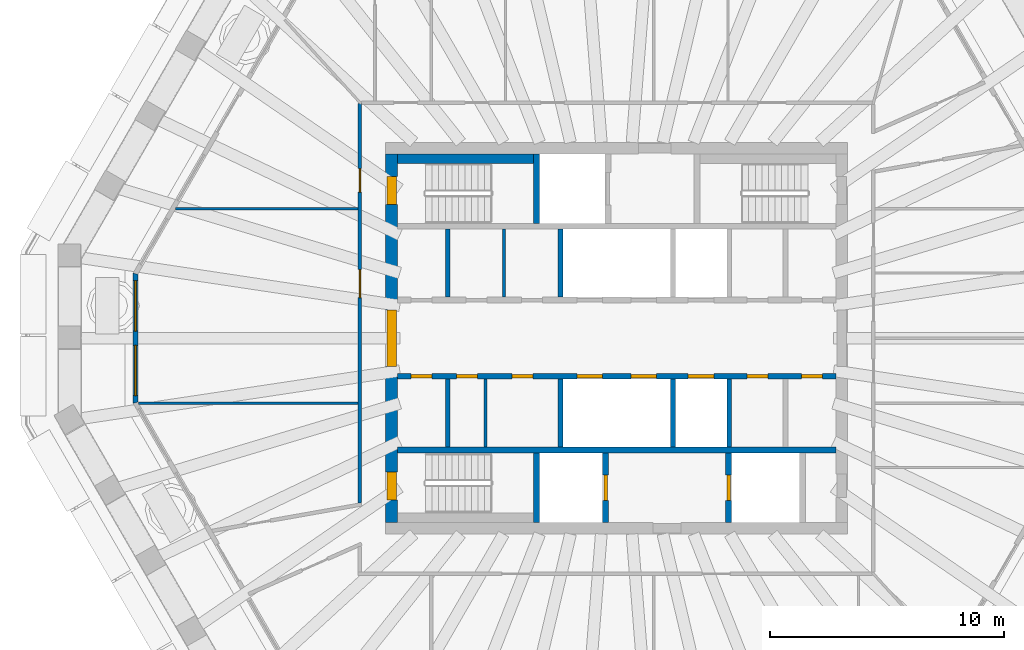
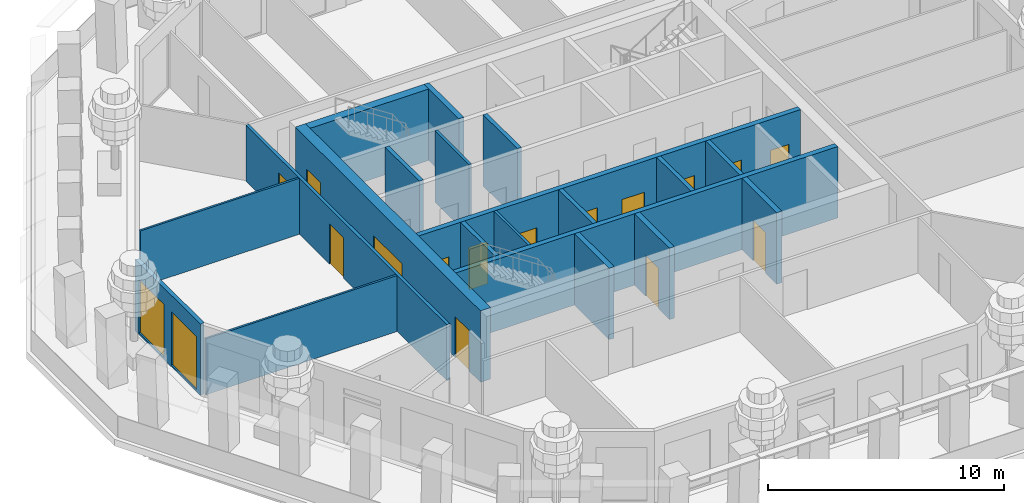
# One storey, part 4 of 13: 20 walls, 15 doors, 2 windows, 17 openings.
"""IFC4 building model written with IfcOpenShell, lengths in metres."""

import ifcopenshell
import ifcopenshell.guid

model = None  # the IFC model being written
_history = None  # IfcOwnerHistory: only IFC2X3 demands one
_inside = {}  # id of a spatial element -> (the spatial element, [elements in it])
_under = {}  # id of a project, library or spatial element -> (it, [spatial elements below it])
_declared = {}  # id of a project -> (the project, [libraries it declares])
_typed = {}  # id of a type object -> (the type object, [elements of that type])
_made_of = {}  # id of a material, layer set ... -> (it, [elements and type objects made of it])


def new_model(schema):
    """Start an empty IFC model of exactly this schema.

    Asked for "IFC4X3", IfcOpenShell would pick the latest addendum, in which some entities
    have other attributes; the version numbers below select the first issue.
    IFC2X3 requires an IfcOwnerHistory on every rooted entity: one is made here for all.
    """
    global model, _history
    if schema == "IFC4X3":
        model = ifcopenshell.file(schema_version=(4, 3, 0, 0))
    else:
        model = ifcopenshell.file(schema=schema)
    _inside.clear()
    _under.clear()
    _declared.clear()
    _typed.clear()
    _made_of.clear()
    _history = None
    if model.schema == "IFC2X3":
        org = make("IfcOrganization", Name="unknown")
        user = make(
            "IfcPersonAndOrganization",
            ThePerson=make("IfcPerson", FamilyName="unknown"),
            TheOrganization=org,
        )
        app = make(
            "IfcApplication",
            ApplicationDeveloper=org,
            Version="unknown",
            ApplicationFullName="unknown",
            ApplicationIdentifier="unknown",
        )
        _history = make(
            "IfcOwnerHistory",
            OwningUser=user,
            OwningApplication=app,
            ChangeAction="ADDED",
            CreationDate=0,
        )
    return model


def make(cls, **values):
    """One entity of the class cls with the attributes given. An attribute that is None is left unset."""
    return model.create_entity(
        cls, **{name: value for name, value in values.items() if value is not None}
    )


def rooted(cls, **values):
    """An entity with a GlobalId (a new one), such as an element, a storey or a relation."""
    return make(cls, GlobalId=ifcopenshell.guid.new(), OwnerHistory=_history, **values)


def si_unit(unit_type, name, prefix=None):
    """IfcSIUnit, for example si_unit("LENGTHUNIT", "METRE", prefix="MILLI")."""
    return make("IfcSIUnit", UnitType=unit_type, Prefix=prefix, Name=name)


def assignment(units):
    """IfcUnitAssignment: the units of a project."""
    return None if units is None else make("IfcUnitAssignment", Units=units)


def point(xyz):
    """IfcCartesianPoint."""
    return None if xyz is None else make("IfcCartesianPoint", Coordinates=xyz)


def direction(xyz):
    """IfcDirection."""
    return None if xyz is None else make("IfcDirection", DirectionRatios=xyz)


def frame(location, z_axis=None, x_axis=None):
    """IfcAxis2Placement3D, a coordinate frame: its origin and axes. An axis left out is left unset."""
    return make(
        "IfcAxis2Placement3D",
        Location=point(location),
        Axis=direction(z_axis),
        RefDirection=direction(x_axis),
    )


def frame_2d(location, x_axis=None):
    """IfcAxis2Placement2D, a coordinate frame in the plane: its origin and x axis."""
    return make(
        "IfcAxis2Placement2D", Location=point(location), RefDirection=direction(x_axis)
    )


def origin():
    """The frame at (0, 0, 0) with its axes left unset."""
    return frame((0.0, 0.0, 0.0))


def place(relative_to, where):
    """IfcLocalPlacement: puts the frame where relative to a parent placement (None: the world)."""
    return make(
        "IfcLocalPlacement", PlacementRelTo=relative_to, RelativePlacement=where
    )


def context(
    kind, dimensions, precision=None, world=None, true_north=None, identifier=None
):
    """IfcGeometricRepresentationContext, for example the 3D "Model" context."""
    return make(
        "IfcGeometricRepresentationContext",
        ContextIdentifier=identifier,
        ContextType=kind,
        CoordinateSpaceDimension=dimensions,
        Precision=precision,
        WorldCoordinateSystem=world,
        TrueNorth=true_north,
    )


def subcontext(parent, identifier, kind, view, scale=None):
    """IfcGeometricRepresentationSubContext, for example "Body" below "Model"."""
    return make(
        "IfcGeometricRepresentationSubContext",
        ContextIdentifier=identifier,
        ContextType=kind,
        ParentContext=parent,
        TargetScale=scale,
        TargetView=view,
    )


def project(units=None, contexts=None):
    """IfcProject with its units and contexts."""
    return rooted(
        "IfcProject",
        Name="project",
        RepresentationContexts=contexts,
        UnitsInContext=assignment(units),
    )


def spatial(cls, under=None, at=None, **own):
    """A site, building, storey or space (cls), placed at a placement, below another one or the project."""
    s = rooted(cls, ObjectPlacement=at, **own)
    if under is not None:
        _under.setdefault(under.id(), (under, []))[1].append(s)
    return s


def polyline(points):
    """IfcPolyline through the points."""
    return make("IfcPolyline", Points=[point(p) for p in points])


def profile(cls, at=None, kind="AREA", **sizes):
    """A parametric profile (cls). Its sizes go by their IFC names, for example OverallWidth=200.0."""
    return make(cls, ProfileType=kind, Position=at, **sizes)


def rectangle(**sizes):
    """IfcRectangleProfileDef."""
    return profile("IfcRectangleProfileDef", **sizes)


def outline(outer, holes=None, kind="AREA"):
    """IfcArbitraryClosedProfileDef: a profile drawn as a closed curve; with holes, ...WithVoids."""
    if holes is None:
        return make("IfcArbitraryClosedProfileDef", ProfileType=kind, OuterCurve=outer)
    return make(
        "IfcArbitraryProfileDefWithVoids",
        ProfileType=kind,
        OuterCurve=outer,
        InnerCurves=holes,
    )


def extrude(swept, where, along, depth):
    """IfcExtrudedAreaSolid: the profile swept, set in the frame where, extruded along a direction by depth."""
    return make(
        "IfcExtrudedAreaSolid",
        SweptArea=swept,
        Position=where,
        ExtrudedDirection=direction(along),
        Depth=depth,
    )


def shape(context_of_items, identifier, shape_type, items):
    """IfcShapeRepresentation: the items that make up one representation, for example the "Body"."""
    return make(
        "IfcShapeRepresentation",
        ContextOfItems=context_of_items,
        RepresentationIdentifier=identifier,
        RepresentationType=shape_type,
        Items=items,
    )


def material(Name=None, Category=None):
    """IfcMaterial."""
    return make("IfcMaterial", Name=Name, Category=Category)


def layer(
    of_material, thickness, ventilated=None, Name=None, Category=None, Priority=None
):
    """IfcMaterialLayer: one layer of a wall or slab, of a material (None: an air gap)."""
    return make(
        "IfcMaterialLayer",
        Material=of_material,
        LayerThickness=thickness,
        IsVentilated=ventilated,
        Name=Name,
        Category=Category,
        Priority=Priority,
    )


def layer_set(layers, Name=None):
    """IfcMaterialLayerSet."""
    return make("IfcMaterialLayerSet", MaterialLayers=layers, LayerSetName=Name)


def made_of(thing, what):
    """Note that an element or type object is made of a material, layer set ...; save() writes the relation."""
    if what is not None:
        _made_of.setdefault(what.id(), (what, []))[1].append(thing)
    return thing


def type_object(cls, material=None, **own):
    """A type object (cls), such as IfcWallType, which elements share."""
    return made_of(rooted(cls, **own), material)


def element(
    cls,
    number,
    at=None,
    inside=None,
    cuts=None,
    type_object=None,
    material=None,
    context=None,
    identifier="Body",
    shape_type=None,
    held_by="IfcProductDefinitionShape",
    body=None,
    shapes=None,
    **own,
):
    """One element of the class cls, such as IfcWall. Its Tag is "e" and its number.

    at: its placement. inside: the storey or other place that contains it. cuts: it is an
    opening in that element (IfcRelVoidsElement). A single representation is given by context,
    identifier, shape_type and body (its items); several are given by shapes. held_by: the class
    of the entity that holds the representations. save() writes the other relations.
    """
    e = rooted(cls, Tag="e%d" % number, ObjectPlacement=at, **own)
    if body is not None:
        shapes = [shape(context, identifier, shape_type, body)]
    if shapes is not None:
        e.Representation = make(held_by, Representations=shapes)
    if inside is not None:
        _inside.setdefault(inside.id(), (inside, []))[1].append(e)
    if cuts is not None:
        rooted(
            "IfcRelVoidsElement", RelatingBuildingElement=cuts, RelatedOpeningElement=e
        )
    if type_object is not None:
        _typed.setdefault(type_object.id(), (type_object, []))[1].append(e)
    return made_of(e, material)


def fill(opening, filler):
    """IfcRelFillsElement: the door or window that sits in an opening."""
    return rooted(
        "IfcRelFillsElement",
        RelatingOpeningElement=opening,
        RelatedBuildingElement=filler,
    )


def aggregate(whole, parts):
    """IfcRelAggregates: a whole, such as a stair, and the parts it consists of."""
    return rooted("IfcRelAggregates", RelatingObject=whole, RelatedObjects=parts)


def save(model, path):
    """Write the relations noted so far, then the file.

    IfcRelAggregates (storeys below a building ...), IfcRelContainedInSpatialStructure (elements
    in a storey), IfcRelDefinesByType, IfcRelAssociatesMaterial and IfcRelDeclares: one each for
    every whole, place, type object, material and project.
    """
    for whole, parts in _under.values():
        aggregate(whole, parts)
    for where, things in _inside.values():
        rooted(
            "IfcRelContainedInSpatialStructure",
            RelatedElements=things,
            RelatingStructure=where,
        )
    for kind, things in _typed.values():
        rooted("IfcRelDefinesByType", RelatedObjects=things, RelatingType=kind)
    for what, things in _made_of.values():
        rooted("IfcRelAssociatesMaterial", RelatedObjects=things, RelatingMaterial=what)
    for by, libraries in _declared.values():
        rooted("IfcRelDeclares", RelatingContext=by, RelatedDefinitions=libraries)
    model.write(path)


model = new_model("IFC4")

# Units and contexts
model_context = context("Model", 3, precision=1e-05, world=origin(), true_north=direction((0.0, 1.0)))
body_context = subcontext(model_context, "Body", "Model", "MODEL_VIEW")
ifc_project = project(units=[si_unit("LENGTHUNIT", "METRE"), si_unit("AREAUNIT", "SQUARE_METRE"), si_unit("VOLUMEUNIT", "CUBIC_METRE"), si_unit("PLANEANGLEUNIT", "RADIAN"), si_unit("MASSUNIT", "GRAM", prefix="KILO")], contexts=[model_context])

# Site, building, storey
site_placement = place(None, origin())
site = spatial("IfcSite", under=ifc_project, at=site_placement, CompositionType="ELEMENT")
building_placement = place(site_placement, origin())
building = spatial("IfcBuilding", under=site, at=building_placement, Name="Frailejon Research Tower", CompositionType="ELEMENT")
storey_placement = place(building_placement, frame((0.0, 0.0, 263.0)))
storey = spatial("IfcBuildingStorey", under=building, at=storey_placement, Name="L57", CompositionType="ELEMENT", Elevation=263.0)

# Walls
ifc_material_1 = material(Name="Plasterboard on steel studs", Category="steel")
ifc_layer_1 = layer(ifc_material_1, 0.125)
ifc_layer_set_1 = layer_set([ifc_layer_1], Name="Core partition 125")
wall_type_1 = type_object("IfcWallType", Name="Core partition 125", PredefinedType="PARTITIONING", material=ifc_layer_set_1)
for number, where, z_axis, x_axis, name in (
    (1, (-4.800048828125, 1.75, 0.0), (0.0, 0.0, 1.0), (0.0, 1.0, 0.0), "Core partition"),
    (2, (-5.60009765625, -4.64990234375, 0.0), (0.0, 0.0, 1.0), (0.0, 1.0, 0.0), "Core partition"),
):
    element("IfcWall", number, at=place(storey_placement, frame(where, z_axis=z_axis, x_axis=x_axis)), inside=storey, type_object=wall_type_1, Name=name, PredefinedType="PARTITIONING", context=body_context, shape_type="SweptSolid", body=[
        extrude(rectangle(XDim=2.89990234375, YDim=0.125, at=frame_2d((1.449951171875, 0.0))), origin(), (0.0, 0.0, 1.0), 3.699951171875),
    ])

# Wall, openings, doors
ifc_material_2 = material(Name="Concrete C50/60", Category="concrete")
ifc_layer_2 = layer(ifc_material_2, 0.5)
ifc_layer_set_2 = layer_set([ifc_layer_2], Name="Core shear wall 500 C50/60")
wall_type_2 = type_object("IfcWallType", Name="Core shear wall 500 C50/60", PredefinedType="SHEAR", material=ifc_layer_set_2)
wall_1_placement = place(storey_placement, frame((-9.60009765625, -7.85009765625, 0.0), z_axis=(0.0, 0.0, 1.0), x_axis=(0.0, 1.0, 0.0)))
wall_1 = element("IfcWall", 3, at=wall_1_placement, inside=storey, type_object=wall_type_2, Name="Core shear wall", PredefinedType="SHEAR", context=body_context, shape_type="SweptSolid", body=[
    extrude(rectangle(XDim=15.7001953125, YDim=0.5, at=frame_2d((7.85009765625, 0.0))), origin(), (0.0, 0.0, 1.0), 3.699951171875),
])
opening_1_placement = place(wall_1_placement, frame((6.64990234375, 0.0, 0.0)))
opening_1 = element("IfcOpeningElement", 4, at=opening_1_placement, cuts=wall_1, Name="Opening D2", PredefinedType="OPENING", context=body_context, shape_type="SweptSolid", body=[
    extrude(rectangle(XDim=2.39990234375, YDim=2.10009765625, at=frame_2d((1.199951171875, 1.050048828125))), frame((0.0, 0.260009765625, 0.0), z_axis=(0.0, -1.0, 0.0), x_axis=(1.0, 0.0, 0.0)), (0.0, 0.0, 1.0), 0.52001953125),
])
opening_2_placement = place(wall_1_placement, frame((13.550048828125, 0.0, 0.0)))
opening_2 = element("IfcOpeningElement", 5, at=opening_2_placement, cuts=wall_1, Name="Opening D1", PredefinedType="OPENING", context=body_context, shape_type="SweptSolid", body=[
    extrude(rectangle(XDim=1.199951171875, YDim=2.10009765625, at=frame_2d((0.60009765625, 1.050048828125))), frame((0.0, 0.260009765625, 0.0), z_axis=(0.0, -1.0, 0.0), x_axis=(1.0, 0.0, 0.0)), (0.0, 0.0, 1.0), 0.52001953125),
])
opening_3_placement = place(wall_1_placement, frame((0.949951171875, 0.0, 0.0)))
opening_3 = element("IfcOpeningElement", 6, at=opening_3_placement, cuts=wall_1, Name="Opening D1", PredefinedType="OPENING", context=body_context, shape_type="SweptSolid", body=[
    extrude(rectangle(XDim=1.199951171875, YDim=2.10009765625, at=frame_2d((0.60009765625, 1.050048828125))), frame((0.0, 0.260009765625, 0.0), z_axis=(0.0, -1.0, 0.0), x_axis=(1.0, 0.0, 0.0)), (0.0, 0.0, 1.0), 0.52001953125),
])
ifc_material_3 = material(Name="Steel", Category="steel")
door_type_1 = type_object("IfcDoorType", Name="Lobby double door", OperationType="DOUBLE_DOOR_SINGLE_SWING", PredefinedType="DOOR", material=ifc_material_3)
door_1_placement = place(opening_1_placement, origin())
door_1 = element("IfcDoor", 7, at=door_1_placement, inside=storey, type_object=door_type_1, Name="Lobby door", OperationType="DOUBLE_DOOR_SINGLE_SWING", OverallHeight=2.10009765625, OverallWidth=2.39990234375, PredefinedType="DOOR", context=body_context, shape_type="SweptSolid", body=[
    extrude(rectangle(XDim=2.39990234375, YDim=2.10009765625, at=frame_2d((1.199951171875, 1.050048828125))), frame((0.0, 0.199951171875, 0.0), z_axis=(0.0, -1.0, 0.0), x_axis=(1.0, 0.0, 0.0)), (0.0, 0.0, 1.0), 0.39990234375),
])
fill(opening_1, door_1)
ifc_material_4 = material(Name="Steel", Category="steel")
door_type_2 = type_object("IfcDoorType", Name="Stair door", OperationType="SINGLE_SWING_LEFT", PredefinedType="DOOR", material=ifc_material_4)
door_2_placement = place(opening_2_placement, origin())
door_2 = element("IfcDoor", 8, at=door_2_placement, inside=storey, type_object=door_type_2, Name="Stair door ST1", OperationType="SINGLE_SWING_RIGHT", OverallHeight=2.10009765625, OverallWidth=1.199951171875, PredefinedType="DOOR", context=body_context, shape_type="SweptSolid", body=[
    extrude(rectangle(XDim=1.199951171875, YDim=2.10009765625, at=frame_2d((0.60009765625, 1.050048828125))), frame((0.0, 0.199951171875, 0.0), z_axis=(0.0, -1.0, 0.0), x_axis=(1.0, 0.0, 0.0)), (0.0, 0.0, 1.0), 0.39990234375),
])
fill(opening_2, door_2)
door_3_placement = place(opening_3_placement, origin())
door_3 = element("IfcDoor", 9, at=door_3_placement, inside=storey, type_object=door_type_2, Name="Stair door ST2", OperationType="SINGLE_SWING_LEFT", OverallHeight=2.10009765625, OverallWidth=1.199951171875, PredefinedType="DOOR", context=body_context, shape_type="SweptSolid", body=[
    extrude(rectangle(XDim=1.199951171875, YDim=2.10009765625, at=frame_2d((0.60009765625, 1.050048828125))), frame((0.0, 0.199951171875, 0.0), z_axis=(0.0, -1.0, 0.0), x_axis=(1.0, 0.0, 0.0)), (0.0, 0.0, 1.0), 0.39990234375),
])
fill(opening_3, door_3)

ifc_material_5 = material(Name="Gypsum board and masonry partition", Category="masonry")
ifc_layer_3 = layer(ifc_material_5, 0.14990234375)
ifc_layer_set_3 = layer_set([ifc_layer_3], Name="Corridor wall EI 60, gypsum on steel studs 150")
wall_type_3 = type_object("IfcWallType", Name="Corridor wall EI 60, gypsum on steel studs 150", PredefinedType="PARTITIONING", material=ifc_layer_set_3)
wall_2_placement = place(storey_placement, frame((-10.949951171875, -7.02490234375, 0.0), z_axis=(0.0, 0.0, 1.0), x_axis=(0.0, 1.0, 0.0)))
wall_2 = element("IfcWall", 10, at=wall_2_placement, inside=storey, type_object=wall_type_3, Name="T:IW:L57:007", PredefinedType="PARTITIONING", context=body_context, shape_type="SweptSolid", body=[
    extrude(rectangle(XDim=17.02490234375, YDim=0.14990234375, at=frame_2d((8.512451171875, 0.0))), origin(), (0.0, 0.0, 1.0), 2.89990234375),
])
opening_4_placement = place(wall_2_placement, frame((13.255615234375, 0.0, 0.0)))
opening_4 = element("IfcOpeningElement", 11, at=opening_4_placement, cuts=wall_2, Name="Opening D2101", PredefinedType="OPENING", context=body_context, shape_type="SweptSolid", body=[
    extrude(rectangle(XDim=1.0, YDim=2.10009765625, at=frame_2d((0.5, 1.050048828125))), frame((0.0, 0.0849609375, 0.0), z_axis=(0.0, -1.0, 0.0), x_axis=(1.0, 0.0, 0.0)), (0.0, 0.0, 1.0), 0.169921875),
])
opening_5_placement = place(wall_2_placement, frame((8.753662109375, 0.0, 0.0)))
opening_5 = element("IfcOpeningElement", 12, at=opening_5_placement, cuts=wall_2, Name="Opening D2102", PredefinedType="OPENING", context=body_context, shape_type="SweptSolid", body=[
    extrude(rectangle(XDim=1.199951171875, YDim=2.10009765625, at=frame_2d((0.60009765625, 1.050048828125))), frame((0.0, 0.0849609375, 0.0), z_axis=(0.0, -1.0, 0.0), x_axis=(1.0, 0.0, 0.0)), (0.0, 0.0, 1.0), 0.169921875),
])
ifc_material_6 = material(Name="Timber door leaf", Category="wood")
door_type_3 = type_object("IfcDoorType", Name="Door single leaf, timber, steel frame 1000", OperationType="NOTDEFINED", PredefinedType="DOOR", material=ifc_material_6)
door_4_placement = place(opening_4_placement, origin())
door_4 = element("IfcDoor", 13, at=door_4_placement, inside=storey, type_object=door_type_3, Name="D2101", OperationType="SINGLE_SWING_LEFT", OverallHeight=2.10009765625, OverallWidth=1.0, PredefinedType="DOOR", context=body_context, shape_type="SweptSolid", body=[
    extrude(rectangle(XDim=1.0, YDim=2.10009765625, at=frame_2d((0.5, 1.050048828125))), frame((0.0, 0.02490234375, 0.0), z_axis=(0.0, -1.0, 0.0), x_axis=(1.0, 0.0, 0.0)), (0.0, 0.0, 1.0), 0.050048828125),
])
fill(opening_4, door_4)
ifc_material_7 = material(Name="Timber door leaf", Category="wood")
door_type_4 = type_object("IfcDoorType", Name="Door single leaf, timber, steel frame 1200", OperationType="NOTDEFINED", PredefinedType="DOOR", material=ifc_material_7)
door_5_placement = place(opening_5_placement, origin())
door_5 = element("IfcDoor", 14, at=door_5_placement, inside=storey, type_object=door_type_4, Name="D2102", OperationType="DOUBLE_DOOR_SINGLE_SWING", OverallHeight=2.10009765625, OverallWidth=1.199951171875, PredefinedType="DOOR", context=body_context, shape_type="SweptSolid", body=[
    extrude(rectangle(XDim=1.199951171875, YDim=2.10009765625, at=frame_2d((0.60009765625, 1.050048828125))), frame((0.0, 0.02490234375, 0.0), z_axis=(0.0, -1.0, 0.0), x_axis=(1.0, 0.0, 0.0)), (0.0, 0.0, 1.0), 0.050048828125),
])
fill(opening_5, door_5)

# Walls
ifc_material_8 = material(Name="Gypsum board and masonry partition", Category="masonry")
ifc_layer_4 = layer(ifc_material_8, 0.10009765625)
ifc_layer_set_4 = layer_set([ifc_layer_4], Name="Partition, gypsum on steel studs 100")
wall_type_4 = type_object("IfcWallType", Name="Partition, gypsum on steel studs 100", PredefinedType="PARTITIONING", material=ifc_layer_set_4)
wall_3_placement = place(storey_placement, frame((-18.811767578125, 5.51708984375, 0.0), z_axis=(0.0, 0.0, 1.0), x_axis=(1.0, 0.0, 0.0)))
element("IfcWall", 15, at=wall_3_placement, inside=storey, type_object=wall_type_4, Name="T:IW:L57:014", PredefinedType="PARTITIONING", context=body_context, shape_type="SweptSolid", body=[
    extrude(rectangle(XDim=7.786865234375, YDim=0.10009765625, at=frame_2d((3.8935546875, 0.0))), origin(), (0.0, 0.0, 1.0), 2.89990234375),
])
wall_4_placement = place(storey_placement, frame((-20.392822265625, -2.778564453125, 0.0), z_axis=(0.0, 0.0, 1.0), x_axis=(1.0, 0.0, 0.0)))
element("IfcWall", 16, at=wall_4_placement, inside=storey, type_object=wall_type_4, Name="T:IW:L57:024", PredefinedType="PARTITIONING", context=body_context, shape_type="SweptSolid", body=[
    extrude(rectangle(XDim=9.367919921875, YDim=0.10009765625, at=frame_2d((4.68408203125, 0.0))), origin(), (0.0, 0.0, 1.0), 2.89990234375),
])
ifc_material_9 = material(Name="Concrete C50/60", Category="concrete")
ifc_layer_5 = layer(ifc_material_9, 0.199951171875)
ifc_layer_set_5 = layer_set([ifc_layer_5], Name="Shaft wall 200 C50/60")
wall_type_5 = type_object("IfcWallType", Name="Shaft wall 200 C50/60", PredefinedType="SOLIDWALL", material=ifc_layer_set_5)
for number, where, z_axis, x_axis, name in (
    (17, (-7.199951171875, 1.75, 0.0), (0.0, 0.0, 1.0), (0.0, 1.0, 0.0), "Shaft wall"),
    (18, (-2.39990234375, 1.75, 0.0), (0.0, 0.0, 1.0), (0.0, 1.0, 0.0), "Shaft wall"),
    (19, (-7.199951171875, -4.64990234375, 0.0), (0.0, 0.0, 1.0), (0.0, 1.0, 0.0), "Shaft wall"),
    (20, (-2.39990234375, -4.64990234375, 0.0), (0.0, 0.0, 1.0), (0.0, 1.0, 0.0), "Shaft wall"),
    (21, (2.39990234375, -4.64990234375, 0.0), (0.0, 0.0, 1.0), (0.0, 1.0, 0.0), "Shaft wall"),
    (22, (4.800048828125, -4.64990234375, 0.0), (0.0, 0.0, 1.0), (0.0, 1.0, 0.0), "Shaft wall"),
):
    element("IfcWall", number, at=place(storey_placement, frame(where, z_axis=z_axis, x_axis=x_axis)), inside=storey, type_object=wall_type_5, Name=name, PredefinedType="SOLIDWALL", context=body_context, shape_type="SweptSolid", body=[
        extrude(rectangle(XDim=2.89990234375, YDim=0.199951171875, at=frame_2d((1.449951171875, 0.0))), origin(), (0.0, 0.0, 1.0), 3.699951171875),
    ])

# Wall, openings, doors
ifc_material_10 = material(Name="Concrete C50/60", Category="concrete")
ifc_layer_6 = layer(ifc_material_10, 0.25)
ifc_layer_set_6 = layer_set([ifc_layer_6], Name="Shaft wall 250 C50/60")
wall_type_6 = type_object("IfcWallType", Name="Shaft wall 250 C50/60", PredefinedType="SOLIDWALL", material=ifc_layer_set_6)
wall_5_placement = place(storey_placement, frame((-9.35009765625, -1.625, 0.0), z_axis=(0.0, 0.0, 1.0), x_axis=(1.0, 0.0, 0.0)))
wall_5 = element("IfcWall", 23, at=wall_5_placement, inside=storey, type_object=wall_type_6, Name="Shaft wall", PredefinedType="SOLIDWALL", context=body_context, shape_type="SweptSolid", body=[
    extrude(rectangle(XDim=18.7001953125, YDim=0.25, at=frame_2d((9.35009765625, 0.0))), origin(), (0.0, 0.0, 1.0), 3.699951171875),
])
opening_6_placement = place(wall_5_placement, frame((7.64990234375, 0.0, 0.0)))
opening_6 = element("IfcOpeningElement", 24, at=opening_6_placement, cuts=wall_5, Name="Opening LD", PredefinedType="OPENING", context=body_context, shape_type="SweptSolid", body=[
    extrude(rectangle(XDim=1.10009765625, YDim=2.10009765625, at=frame_2d((0.550048828125, 1.050048828125))), frame((0.0, 0.135009765625, 0.0), z_axis=(0.0, -1.0, 0.0), x_axis=(1.0, 0.0, 0.0)), (0.0, 0.0, 1.0), 0.27001953125),
])
opening_7_placement = place(wall_5_placement, frame((9.949951171875, 0.0, 0.0)))
opening_7 = element("IfcOpeningElement", 25, at=opening_7_placement, cuts=wall_5, Name="Opening LD", PredefinedType="OPENING", context=body_context, shape_type="SweptSolid", body=[
    extrude(rectangle(XDim=1.10009765625, YDim=2.10009765625, at=frame_2d((0.550048828125, 1.050048828125))), frame((0.0, 0.135009765625, 0.0), z_axis=(0.0, -1.0, 0.0), x_axis=(1.0, 0.0, 0.0)), (0.0, 0.0, 1.0), 0.27001953125),
])
opening_8_placement = place(wall_5_placement, frame((12.39990234375, 0.0, 0.0)))
opening_8 = element("IfcOpeningElement", 26, at=opening_8_placement, cuts=wall_5, Name="Opening LD", PredefinedType="OPENING", context=body_context, shape_type="SweptSolid", body=[
    extrude(rectangle(XDim=1.10009765625, YDim=2.10009765625, at=frame_2d((0.550048828125, 1.050048828125))), frame((0.0, 0.135009765625, 0.0), z_axis=(0.0, -1.0, 0.0), x_axis=(1.0, 0.0, 0.0)), (0.0, 0.0, 1.0), 0.27001953125),
])
opening_9_placement = place(wall_5_placement, frame((0.574951171875, 0.0, 0.0)))
opening_9 = element("IfcOpeningElement", 27, at=opening_9_placement, cuts=wall_5, Name="Opening D8", PredefinedType="OPENING", context=body_context, shape_type="SweptSolid", body=[
    extrude(rectangle(XDim=0.89990234375, YDim=2.10009765625, at=frame_2d((0.449951171875, 1.050048828125))), frame((0.0, 0.135009765625, 0.0), z_axis=(0.0, -1.0, 0.0), x_axis=(1.0, 0.0, 0.0)), (0.0, 0.0, 1.0), 0.27001953125),
])
opening_10_placement = place(wall_5_placement, frame((2.518798828125, 0.0, 0.0)))
opening_10 = element("IfcOpeningElement", 28, at=opening_10_placement, cuts=wall_5, Name="Opening D8", PredefinedType="OPENING", context=body_context, shape_type="SweptSolid", body=[
    extrude(rectangle(XDim=0.89990234375, YDim=2.10009765625, at=frame_2d((0.449951171875, 1.050048828125))), frame((0.0, 0.135009765625, 0.0), z_axis=(0.0, -1.0, 0.0), x_axis=(1.0, 0.0, 0.0)), (0.0, 0.0, 1.0), 0.27001953125),
])
opening_11_placement = place(wall_5_placement, frame((4.881103515625, 0.0, 0.0)))
opening_11 = element("IfcOpeningElement", 29, at=opening_11_placement, cuts=wall_5, Name="Opening D8", PredefinedType="OPENING", context=body_context, shape_type="SweptSolid", body=[
    extrude(rectangle(XDim=0.89990234375, YDim=2.10009765625, at=frame_2d((0.449951171875, 1.050048828125))), frame((0.0, 0.135009765625, 0.0), z_axis=(0.0, -1.0, 0.0), x_axis=(1.0, 0.0, 0.0)), (0.0, 0.0, 1.0), 0.27001953125),
])
opening_12_placement = place(wall_5_placement, frame((14.89990234375, 0.0, 0.0)))
opening_12 = element("IfcOpeningElement", 30, at=opening_12_placement, cuts=wall_5, Name="Opening D8", PredefinedType="OPENING", context=body_context, shape_type="SweptSolid", body=[
    extrude(rectangle(XDim=0.89990234375, YDim=2.10009765625, at=frame_2d((0.449951171875, 1.050048828125))), frame((0.0, 0.135009765625, 0.0), z_axis=(0.0, -1.0, 0.0), x_axis=(1.0, 0.0, 0.0)), (0.0, 0.0, 1.0), 0.27001953125),
])
opening_13_placement = place(wall_5_placement, frame((17.22509765625, 0.0, 0.0)))
opening_13 = element("IfcOpeningElement", 31, at=opening_13_placement, cuts=wall_5, Name="Opening D8", PredefinedType="OPENING", context=body_context, shape_type="SweptSolid", body=[
    extrude(rectangle(XDim=0.89990234375, YDim=2.10009765625, at=frame_2d((0.449951171875, 1.050048828125))), frame((0.0, 0.135009765625, 0.0), z_axis=(0.0, -1.0, 0.0), x_axis=(1.0, 0.0, 0.0)), (0.0, 0.0, 1.0), 0.27001953125),
])
ifc_material_11 = material(Name="Steel", Category="steel")
door_type_5 = type_object("IfcDoorType", Name="Core room door", OperationType="SINGLE_SWING_LEFT", PredefinedType="DOOR", material=ifc_material_11)
door_6_placement = place(opening_9_placement, origin())
door_6 = element("IfcDoor", 32, at=door_6_placement, inside=storey, type_object=door_type_5, Name="Room door", OperationType="SINGLE_SWING_LEFT", OverallHeight=2.10009765625, OverallWidth=0.89990234375, PredefinedType="DOOR", context=body_context, shape_type="SweptSolid", body=[
    extrude(rectangle(XDim=0.89990234375, YDim=2.10009765625, at=frame_2d((0.449951171875, 1.050048828125))), frame((0.0, 0.074951171875, 0.0), z_axis=(0.0, -1.0, 0.0), x_axis=(1.0, 0.0, 0.0)), (0.0, 0.0, 1.0), 0.14990234375),
])
fill(opening_9, door_6)
door_7_placement = place(opening_10_placement, origin())
door_7 = element("IfcDoor", 33, at=door_7_placement, inside=storey, type_object=door_type_5, Name="Room door", OperationType="SINGLE_SWING_RIGHT", OverallHeight=2.10009765625, OverallWidth=0.89990234375, PredefinedType="DOOR", context=body_context, shape_type="SweptSolid", body=[
    extrude(rectangle(XDim=0.89990234375, YDim=2.10009765625, at=frame_2d((0.449951171875, 1.050048828125))), frame((0.0, 0.074951171875, 0.0), z_axis=(0.0, -1.0, 0.0), x_axis=(1.0, 0.0, 0.0)), (0.0, 0.0, 1.0), 0.14990234375),
])
fill(opening_10, door_7)
door_8_placement = place(opening_11_placement, origin())
door_8 = element("IfcDoor", 34, at=door_8_placement, inside=storey, type_object=door_type_5, Name="Room door", OperationType="SINGLE_SWING_LEFT", OverallHeight=2.10009765625, OverallWidth=0.89990234375, PredefinedType="DOOR", context=body_context, shape_type="SweptSolid", body=[
    extrude(rectangle(XDim=0.89990234375, YDim=2.10009765625, at=frame_2d((0.449951171875, 1.050048828125))), frame((0.0, 0.074951171875, 0.0), z_axis=(0.0, -1.0, 0.0), x_axis=(1.0, 0.0, 0.0)), (0.0, 0.0, 1.0), 0.14990234375),
])
fill(opening_11, door_8)
door_9_placement = place(opening_12_placement, origin())
door_9 = element("IfcDoor", 35, at=door_9_placement, inside=storey, type_object=door_type_5, Name="Room door", OperationType="SINGLE_SWING_RIGHT", OverallHeight=2.10009765625, OverallWidth=0.89990234375, PredefinedType="DOOR", context=body_context, shape_type="SweptSolid", body=[
    extrude(rectangle(XDim=0.89990234375, YDim=2.10009765625, at=frame_2d((0.449951171875, 1.050048828125))), frame((0.0, 0.074951171875, 0.0), z_axis=(0.0, -1.0, 0.0), x_axis=(1.0, 0.0, 0.0)), (0.0, 0.0, 1.0), 0.14990234375),
])
fill(opening_12, door_9)
door_10_placement = place(opening_13_placement, origin())
door_10 = element("IfcDoor", 36, at=door_10_placement, inside=storey, type_object=door_type_5, Name="Room door", OperationType="SINGLE_SWING_LEFT", OverallHeight=2.10009765625, OverallWidth=0.89990234375, PredefinedType="DOOR", context=body_context, shape_type="SweptSolid", body=[
    extrude(rectangle(XDim=0.89990234375, YDim=2.10009765625, at=frame_2d((0.449951171875, 1.050048828125))), frame((0.0, 0.074951171875, 0.0), z_axis=(0.0, -1.0, 0.0), x_axis=(1.0, 0.0, 0.0)), (0.0, 0.0, 1.0), 0.14990234375),
])
fill(opening_13, door_10)
ifc_material_12 = material(Name="Steel", Category="steel")
door_type_6 = type_object("IfcDoorType", Name="Lift landing door", OperationType="DOUBLE_DOOR_SLIDING", PredefinedType="DOOR", material=ifc_material_12)
door_11_placement = place(opening_6_placement, origin())
door_11 = element("IfcDoor", 37, at=door_11_placement, inside=storey, type_object=door_type_6, Name="Lift landing door", OperationType="DOUBLE_DOOR_SLIDING", OverallHeight=2.10009765625, OverallWidth=1.10009765625, PredefinedType="DOOR", context=body_context, shape_type="SweptSolid", body=[
    extrude(rectangle(XDim=1.10009765625, YDim=2.10009765625, at=frame_2d((0.550048828125, 1.050048828125))), frame((0.0, 0.074951171875, 0.0), z_axis=(0.0, -1.0, 0.0), x_axis=(1.0, 0.0, 0.0)), (0.0, 0.0, 1.0), 0.14990234375),
])
fill(opening_6, door_11)
door_12_placement = place(opening_7_placement, origin())
door_12 = element("IfcDoor", 38, at=door_12_placement, inside=storey, type_object=door_type_6, Name="Lift landing door", OperationType="DOUBLE_DOOR_SLIDING", OverallHeight=2.10009765625, OverallWidth=1.10009765625, PredefinedType="DOOR", context=body_context, shape_type="SweptSolid", body=[
    extrude(rectangle(XDim=1.10009765625, YDim=2.10009765625, at=frame_2d((0.550048828125, 1.050048828125))), frame((0.0, 0.074951171875, 0.0), z_axis=(0.0, -1.0, 0.0), x_axis=(1.0, 0.0, 0.0)), (0.0, 0.0, 1.0), 0.14990234375),
])
fill(opening_7, door_12)
door_13_placement = place(opening_8_placement, origin())
door_13 = element("IfcDoor", 39, at=door_13_placement, inside=storey, type_object=door_type_6, Name="Lift landing door", OperationType="DOUBLE_DOOR_SLIDING", OverallHeight=2.10009765625, OverallWidth=1.10009765625, PredefinedType="DOOR", context=body_context, shape_type="SweptSolid", body=[
    extrude(rectangle(XDim=1.10009765625, YDim=2.10009765625, at=frame_2d((0.550048828125, 1.050048828125))), frame((0.0, 0.074951171875, 0.0), z_axis=(0.0, -1.0, 0.0), x_axis=(1.0, 0.0, 0.0)), (0.0, 0.0, 1.0), 0.14990234375),
])
fill(opening_8, door_13)

# Walls
wall_6_placement = place(storey_placement, frame((-9.35009765625, -4.77490234375, 0.0), z_axis=(0.0, 0.0, 1.0), x_axis=(1.0, 0.0, 0.0)))
element("IfcWall", 40, at=wall_6_placement, inside=storey, type_object=wall_type_6, Name="Shaft wall", PredefinedType="SOLIDWALL", context=body_context, shape_type="SweptSolid", body=[
    extrude(rectangle(XDim=18.7001953125, YDim=0.25, at=frame_2d((9.35009765625, 0.0))), origin(), (0.0, 0.0, 1.0), 3.699951171875),
])
for number, where, z_axis, x_axis, name in (
    (41, (-3.425048828125, 4.89990234375, 0.0), (0.0, 0.0, 1.0), (0.0, 1.0, 0.0), "Shaft wall"),
    (42, (-3.425048828125, -7.85009765625, 0.0), (0.0, 0.0, 1.0), (0.0, 1.0, 0.0), "Shaft wall"),
):
    element("IfcWall", number, at=place(storey_placement, frame(where, z_axis=z_axis, x_axis=x_axis)), inside=storey, type_object=wall_type_6, Name=name, PredefinedType="SOLIDWALL", context=body_context, shape_type="SweptSolid", body=[
        extrude(rectangle(XDim=2.9501953125, YDim=0.25, at=frame_2d((1.47509765625, 0.0))), origin(), (0.0, 0.0, 1.0), 3.699951171875),
    ])

# Wall, opening, door
wall_7_placement = place(storey_placement, frame((-0.47509765625, -7.85009765625, 0.0), z_axis=(0.0, 0.0, 1.0), x_axis=(0.0, 1.0, 0.0)))
wall_7 = element("IfcWall", 43, at=wall_7_placement, inside=storey, type_object=wall_type_6, Name="Shaft wall", PredefinedType="SOLIDWALL", context=body_context, shape_type="SweptSolid", body=[
    extrude(rectangle(XDim=2.9501953125, YDim=0.25, at=frame_2d((1.47509765625, 0.0))), origin(), (0.0, 0.0, 1.0), 3.699951171875),
])
opening_14_placement = place(wall_7_placement, frame((0.925048828125, 0.0, 0.0)))
opening_14 = element("IfcOpeningElement", 44, at=opening_14_placement, cuts=wall_7, Name="Opening LD", PredefinedType="OPENING", context=body_context, shape_type="SweptSolid", body=[
    extrude(rectangle(XDim=1.10009765625, YDim=2.10009765625, at=frame_2d((0.550048828125, 1.050048828125))), frame((0.0, 0.135009765625, 0.0), z_axis=(0.0, -1.0, 0.0), x_axis=(1.0, 0.0, 0.0)), (0.0, 0.0, 1.0), 0.27001953125),
])
door_14_placement = place(opening_14_placement, origin())
door_14 = element("IfcDoor", 45, at=door_14_placement, inside=storey, type_object=door_type_6, Name="Lift landing door", OperationType="DOUBLE_DOOR_SLIDING", OverallHeight=2.10009765625, OverallWidth=1.10009765625, PredefinedType="DOOR", context=body_context, shape_type="SweptSolid", body=[
    extrude(rectangle(XDim=1.10009765625, YDim=2.10009765625, at=frame_2d((0.550048828125, 1.050048828125))), frame((0.0, 0.074951171875, 0.0), z_axis=(0.0, -1.0, 0.0), x_axis=(1.0, 0.0, 0.0)), (0.0, 0.0, 1.0), 0.14990234375),
])
fill(opening_14, door_14)

wall_8_placement = place(storey_placement, frame((4.77490234375, -7.85009765625, 0.0), z_axis=(0.0, 0.0, 1.0), x_axis=(0.0, 1.0, 0.0)))
wall_8 = element("IfcWall", 46, at=wall_8_placement, inside=storey, type_object=wall_type_6, Name="Shaft wall", PredefinedType="SOLIDWALL", context=body_context, shape_type="SweptSolid", body=[
    extrude(rectangle(XDim=2.9501953125, YDim=0.25, at=frame_2d((1.47509765625, 0.0))), origin(), (0.0, 0.0, 1.0), 3.699951171875),
])
opening_15_placement = place(wall_8_placement, frame((0.925048828125, 0.0, 0.0)))
opening_15 = element("IfcOpeningElement", 47, at=opening_15_placement, cuts=wall_8, Name="Opening LD", PredefinedType="OPENING", context=body_context, shape_type="SweptSolid", body=[
    extrude(rectangle(XDim=1.10009765625, YDim=2.10009765625, at=frame_2d((0.550048828125, 1.050048828125))), frame((0.0, 0.135009765625, 0.0), z_axis=(0.0, -1.0, 0.0), x_axis=(1.0, 0.0, 0.0)), (0.0, 0.0, 1.0), 0.27001953125),
])
door_15_placement = place(opening_15_placement, origin())
door_15 = element("IfcDoor", 48, at=door_15_placement, inside=storey, type_object=door_type_6, Name="Lift landing door", OperationType="DOUBLE_DOOR_SLIDING", OverallHeight=2.10009765625, OverallWidth=1.10009765625, PredefinedType="DOOR", context=body_context, shape_type="SweptSolid", body=[
    extrude(rectangle(XDim=1.10009765625, YDim=2.10009765625, at=frame_2d((0.550048828125, 1.050048828125))), frame((0.0, 0.074951171875, 0.0), z_axis=(0.0, -1.0, 0.0), x_axis=(1.0, 0.0, 0.0)), (0.0, 0.0, 1.0), 0.14990234375),
])
fill(opening_15, door_15)

# Wall
ifc_material_13 = material(Name="Concrete C50/60", Category="concrete")
ifc_layer_7 = layer(ifc_material_13, 0.39990234375)
ifc_layer_set_7 = layer_set([ifc_layer_7], Name="Shaft wall 400 C50/60")
wall_type_7 = type_object("IfcWallType", Name="Shaft wall 400 C50/60", PredefinedType="SOLIDWALL", material=ifc_layer_set_7)
wall_9_placement = place(storey_placement, frame((-9.35009765625, 7.64990234375, 0.0), z_axis=(0.0, 0.0, 1.0), x_axis=(1.0, 0.0, 0.0)))
element("IfcWall", 49, at=wall_9_placement, inside=storey, type_object=wall_type_7, Name="Shaft wall", PredefinedType="SOLIDWALL", context=body_context, shape_type="SweptSolid", body=[
    extrude(rectangle(XDim=5.800048828125, YDim=0.39990234375, at=frame_2d((2.89990234375, 0.0))), origin(), (0.0, 0.0, 1.0), 3.699951171875),
])

# Wall, openings, windows
ifc_material_14 = material(Name="Concrete C40/50 precast window wall panel", Category="concrete")
ifc_layer_8 = layer(ifc_material_14, 0.199951171875)
ifc_layer_set_8 = layer_set([ifc_layer_8], Name="Window wall 200")
wall_type_8 = type_object("IfcWallType", Name="Window wall 200", PredefinedType="SOLIDWALL", material=ifc_layer_set_8)
wall_10_placement = place(storey_placement, frame((-20.523681640625, 2.751708984375, 0.0), z_axis=(0.0, 0.0, 1.0), x_axis=(0.0, -1.0, 0.0)))
wall_10 = element("IfcWall", 50, at=wall_10_placement, inside=storey, type_object=wall_type_8, Name="Exterior wall L57", PredefinedType="SOLIDWALL", context=body_context, shape_type="SweptSolid", body=[
    extrude(outline(polyline([(-0.02685546875, -0.10009765625), (1.08447265625, -0.10009765625), (2.196044921875, -0.10009765625), (3.307373046875, -0.10009765625), (4.4189453125, -0.10009765625), (5.5302734375, -0.10009765625), (5.4765625, 0.10009765625), (4.38671875, 0.10009765625), (3.296630859375, 0.10009765625), (2.206787109375, 0.10009765625), (1.11669921875, 0.10009765625), (0.02685546875, 0.10009765625), (-0.02685546875, -0.10009765625)])), origin(), (0.0, 0.0, 1.0), 3.699951171875),
])
opening_16_placement = place(wall_10_placement, frame((0.30078125, 0.0, 0.10009765625)))
opening_16 = element("IfcOpeningElement", 51, at=opening_16_placement, cuts=wall_10, Name="Opening W22", PredefinedType="OPENING", context=body_context, shape_type="SweptSolid", body=[
    extrude(rectangle(XDim=2.14990234375, YDim=2.75, at=frame_2d((1.074951171875, 1.375))), frame((0.0, 0.10986328125, 0.0), z_axis=(0.0, -1.0, 0.0), x_axis=(1.0, 0.0, 0.0)), (0.0, 0.0, 1.0), 0.219970703125),
])
opening_17_placement = place(wall_10_placement, frame((3.052490234375, 0.0, 0.10009765625)))
opening_17 = element("IfcOpeningElement", 52, at=opening_17_placement, cuts=wall_10, Name="Opening W22", PredefinedType="OPENING", context=body_context, shape_type="SweptSolid", body=[
    extrude(rectangle(XDim=2.14990234375, YDim=2.75, at=frame_2d((1.074951171875, 1.375))), frame((0.0, 0.10986328125, 0.0), z_axis=(0.0, -1.0, 0.0), x_axis=(1.0, 0.0, 0.0)), (0.0, 0.0, 1.0), 0.219970703125),
])
ifc_material_15 = material(Name="Aluminium framed double glazing", Category="aluminium")
window_type = type_object("IfcWindowType", Name="Window 2150x2750", PartitioningType="SINGLE_PANEL", PredefinedType="WINDOW", material=ifc_material_15)
window_1_placement = place(opening_16_placement, origin())
window_1 = element("IfcWindow", 53, at=window_1_placement, inside=storey, type_object=window_type, Name="Window L57", OverallHeight=2.75, OverallWidth=2.14990234375, PartitioningType="SINGLE_PANEL", PredefinedType="WINDOW", context=body_context, shape_type="SweptSolid", body=[
    extrude(rectangle(XDim=2.14990234375, YDim=2.75, at=frame_2d((1.074951171875, 1.375))), frame((0.0, 0.030029296875, 0.0), z_axis=(0.0, -1.0, 0.0), x_axis=(1.0, 0.0, 0.0)), (0.0, 0.0, 1.0), 0.06005859375),
])
fill(opening_16, window_1)
window_2_placement = place(opening_17_placement, origin())
window_2 = element("IfcWindow", 54, at=window_2_placement, inside=storey, type_object=window_type, Name="Window L57", OverallHeight=2.75, OverallWidth=2.14990234375, PartitioningType="SINGLE_PANEL", PredefinedType="WINDOW", context=body_context, shape_type="SweptSolid", body=[
    extrude(rectangle(XDim=2.14990234375, YDim=2.75, at=frame_2d((1.074951171875, 1.375))), frame((0.0, 0.030029296875, 0.0), z_axis=(0.0, -1.0, 0.0), x_axis=(1.0, 0.0, 0.0)), (0.0, 0.0, 1.0), 0.06005859375),
])
fill(opening_17, window_2)

save(model, "model.ifc")
